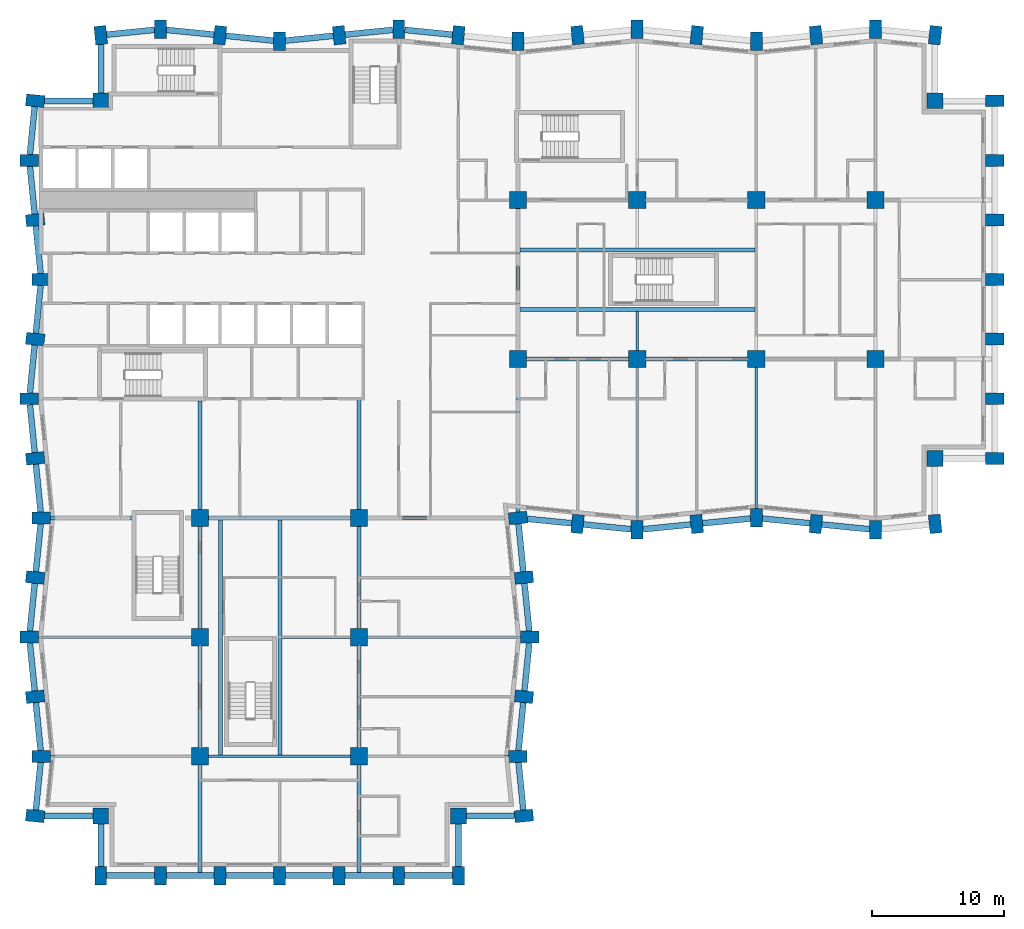
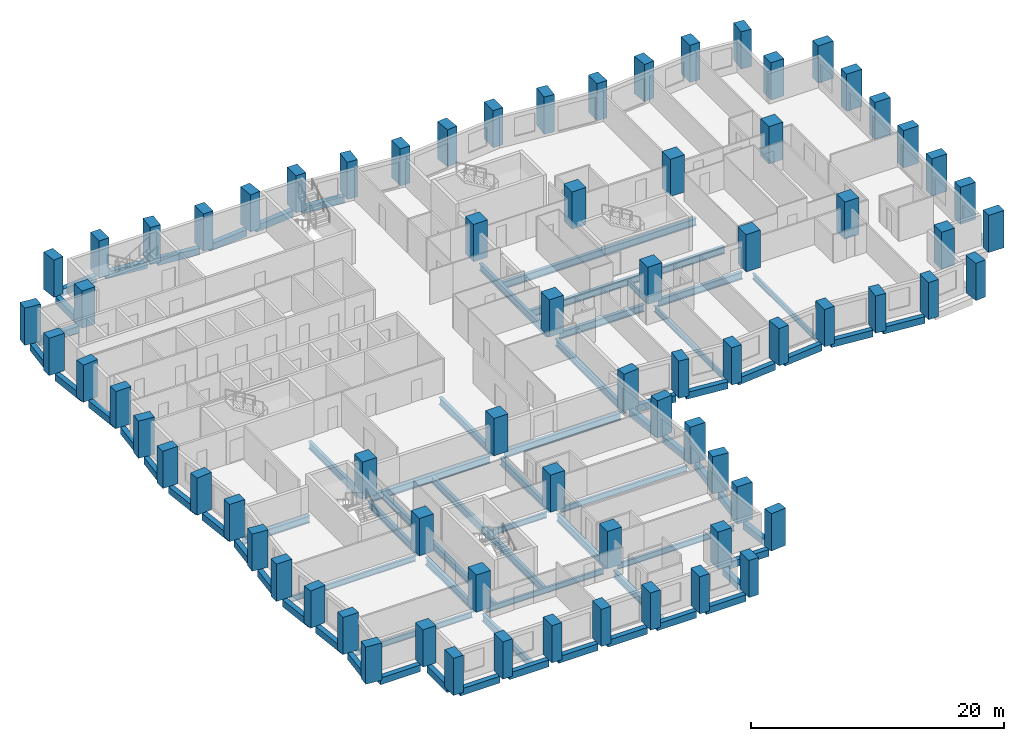
# One storey, part 1 of 12: 74 columns, 69 beams.
"""IFC4 building model written with IfcOpenShell, lengths in metres."""

from ifc_helpers import new_model, si_unit, direction, frame, origin, origin_2d, place, context, subcontext, project, spatial, rectangle, i_section, extrude, material, material_profile, profile_set, type_object, element, save


model = new_model("IFC4")

# Units and contexts
model_context = context("Model", 3, precision=1e-05, world=origin(), true_north=direction((0.0, 1.0)))
body_context = subcontext(model_context, "Body", "Model", "MODEL_VIEW")
ifc_project = project(units=[si_unit("LENGTHUNIT", "METRE"), si_unit("AREAUNIT", "SQUARE_METRE"), si_unit("VOLUMEUNIT", "CUBIC_METRE"), si_unit("PLANEANGLEUNIT", "RADIAN"), si_unit("MASSUNIT", "GRAM", prefix="KILO")], contexts=[model_context])

# Site, building, storey
site_placement = place(None, origin())
site = spatial("IfcSite", under=ifc_project, at=site_placement, CompositionType="ELEMENT")
building_placement = place(site_placement, origin())
building = spatial("IfcBuilding", under=site, at=building_placement, Name="Brondeck Convention Tower", CompositionType="ELEMENT")
storey_placement = place(building_placement, frame((0.0, 0.0, 77.10009765625)))
storey = spatial("IfcBuildingStorey", under=building, at=storey_placement, Name="L17", CompositionType="ELEMENT", Elevation=77.10009765625)

# Columns
ifc_material_1 = material(Name="Concrete C80/95", Category="concrete")
ifc_material_profile_1 = material_profile(ifc_material_1, rectangle(XDim=1.199951171875, YDim=1.199951171875, at=origin_2d()), Name="Corner column 1200x1200 Concrete C80/95")
ifc_profile_set_1 = profile_set([ifc_material_profile_1], Name="Concrete C80/95")
column_type_1 = type_object("IfcColumnType", Name="Corner column 1200x1200 Concrete C80/95", PredefinedType="COLUMN", material=ifc_profile_set_1)
for number, where, z_axis, x_axis, name in (
    (1, (4.5, 4.5, 0.0), (0.0, 0.0, 1.0), (1.0, 0.0, 0.0), "STR-COL-L17-NC-SWB0"),
    (2, (31.5, 4.5, 0.0), (0.0, 0.0, 1.0), (1.0, 0.0, 0.0), "STR-COL-L17-NC-SEB0"),
    (3, (67.5, 31.5, 0.0), (0.0, 0.0, 1.0), (1.0, 0.0, 0.0), "STR-COL-L17-NC-SEA72"),
    (4, (67.5, 58.5, 0.0), (0.0, 0.0, 1.0), (1.0, 0.0, 0.0), "STR-COL-L17-NC-NEA72"),
    (5, (4.5, 58.5, 0.0), (0.0, 0.0, 1.0), (1.0, 0.0, 0.0), "STR-COL-L17-NC-NW"),
):
    element("IfcColumn", number, at=place(storey_placement, frame(where, z_axis=z_axis, x_axis=x_axis)), inside=storey, type_object=column_type_1, Name=name, PredefinedType="COLUMN", context=body_context, shape_type="SweptSolid", body=[
        extrude(rectangle(XDim=1.199951171875, YDim=1.199951171875, at=origin_2d()), origin(), (0.0, 0.0, 1.0), 3.599853515625),
    ])
ifc_material_profile_2 = material_profile(ifc_material_1, rectangle(XDim=1.300048828125, YDim=1.300048828125, at=origin_2d()), Name="Interior column 1300x1300 Concrete C80/95")
ifc_profile_set_2 = profile_set([ifc_material_profile_2], Name="Concrete C80/95")
column_type_2 = type_object("IfcColumnType", Name="Interior column 1300x1300 Concrete C80/95", PredefinedType="COLUMN", material=ifc_profile_set_2)
for number, where, z_axis, x_axis, name in (
    (6, (12.0, 9.0, 0.0), (0.0, 0.0, 1.0), (1.0, 0.0, 0.0), "STR-COL-L17-IC-01"),
    (7, (12.0, 18.0, 0.0), (0.0, 0.0, 1.0), (1.0, 0.0, 0.0), "STR-COL-L17-IC-02"),
    (8, (12.0, 27.0, 0.0), (0.0, 0.0, 1.0), (1.0, 0.0, 0.0), "STR-COL-L17-IC-03"),
    (9, (24.0, 9.0, 0.0), (0.0, 0.0, 1.0), (1.0, 0.0, 0.0), "STR-COL-L17-IC-04"),
    (10, (24.0, 18.0, 0.0), (0.0, 0.0, 1.0), (1.0, 0.0, 0.0), "STR-COL-L17-IC-05"),
    (11, (24.0, 27.0, 0.0), (0.0, 0.0, 1.0), (1.0, 0.0, 0.0), "STR-COL-L17-IC-06"),
    (12, (36.0, 39.0, 0.0), (0.0, 0.0, 1.0), (1.0, 0.0, 0.0), "STR-COL-L17-IC-07"),
    (13, (36.0, 51.0, 0.0), (0.0, 0.0, 1.0), (1.0, 0.0, 0.0), "STR-COL-L17-IC-08"),
    (14, (45.0, 39.0, 0.0), (0.0, 0.0, 1.0), (1.0, 0.0, 0.0), "STR-COL-L17-IC-09"),
    (15, (45.0, 51.0, 0.0), (0.0, 0.0, 1.0), (1.0, 0.0, 0.0), "STR-COL-L17-IC-10"),
    (16, (54.0, 39.0, 0.0), (0.0, 0.0, 1.0), (1.0, 0.0, 0.0), "STR-COL-L17-IC-11"),
    (17, (54.0, 51.0, 0.0), (0.0, 0.0, 1.0), (1.0, 0.0, 0.0), "STR-COL-L17-IC-12"),
    (18, (63.0, 39.0, 0.0), (0.0, 0.0, 1.0), (1.0, 0.0, 0.0), "STR-COL-L17-IC-13"),
    (19, (63.0, 51.0, 0.0), (0.0, 0.0, 1.0), (1.0, 0.0, 0.0), "STR-COL-L17-IC-14"),
):
    element("IfcColumn", number, at=place(storey_placement, frame(where, z_axis=z_axis, x_axis=x_axis)), inside=storey, type_object=column_type_2, Name=name, PredefinedType="COLUMN", context=body_context, shape_type="SweptSolid", body=[
        extrude(rectangle(XDim=1.300048828125, YDim=1.300048828125, at=origin_2d()), origin(), (0.0, 0.0, 1.0), 3.599853515625),
    ])
ifc_material_profile_3 = material_profile(ifc_material_1, rectangle(XDim=0.89990234375, YDim=1.39990234375, at=origin_2d()), Name="Perimeter pier 900x1400 Concrete C80/95")
ifc_profile_set_3 = profile_set([ifc_material_profile_3], Name="Concrete C80/95")
column_type_3 = type_object("IfcColumnType", Name="Perimeter pier 900x1400 Concrete C80/95", PredefinedType="COLUMN", material=ifc_profile_set_3)
for number, where, z_axis, x_axis, name in (
    (20, (4.5, 0.0, 0.0), (0.0, 0.0, 1.0), (1.0, 0.0, 0.0), "STR-COL-L17-PC-B-S0-01"),
    (21, (9.0, 0.0, 0.0), (0.0, 0.0, 1.0), (1.0, 0.0, 0.0), "STR-COL-L17-PC-B-S0-02"),
    (22, (13.5, 0.0, 0.0), (0.0, 0.0, 1.0), (1.0, 0.0, 0.0), "STR-COL-L17-PC-B-S0-03"),
    (23, (18.0, 0.0, 0.0), (0.0, 0.0, 1.0), (1.0, 0.0, 0.0), "STR-COL-L17-PC-B-S0-04"),
    (24, (22.5, 0.0, 0.0), (0.0, 0.0, 1.0), (1.0, 0.0, 0.0), "STR-COL-L17-PC-B-S0-05"),
    (25, (27.0, 0.0, 0.0), (0.0, 0.0, 1.0), (1.0, 0.0, 0.0), "STR-COL-L17-PC-B-S0-06"),
    (26, (31.5, 0.0, 0.0), (0.0, 0.0, 1.0), (1.0, 0.0, 0.0), "STR-COL-L17-PC-B-S0-07"),
    (27, (36.449951171875, 4.5, 0.0), (0.0, 0.0, 1.0), (-0.0995038382, 0.995037178292, 0.0), "STR-COL-L17-PC-B-E-05"),
    (28, (36.0, 9.0, 0.0), (0.0, 0.0, 1.0), (0.0, 1.0, 0.0), "STR-COL-L17-PC-B-E-04"),
    (29, (36.449951171875, 13.5, 0.0), (0.0, 0.0, 1.0), (0.0995038382, 0.995037178292, 0.0), "STR-COL-L17-PC-B-E-03"),
    (30, (36.89990234375, 18.0, 0.0), (0.0, 0.0, 1.0), (0.0, 1.0, 0.0), "STR-COL-L17-PC-B-E-02"),
    (31, (36.449951171875, 22.5, 0.0), (0.0, 0.0, 1.0), (-0.0995038382, 0.995037178292, 0.0), "STR-COL-L17-PC-B-E-01"),
    (32, (36.0, 27.0, 0.0), (0.0, 0.0, 1.0), (-0.0995038382, 0.995037178292, 0.0), "STR-COL-L17-PC-B-E-00"),
    (33, (40.5, 26.550048828125, 0.0), (0.0, 0.0, 1.0), (0.995037178292, -0.0995038382, 0.0), "STR-COL-L17-PC-A-S-01"),
    (34, (45.0, 26.10009765625, 0.0), (0.0, 0.0, 1.0), (1.0, 0.0, 0.0), "STR-COL-L17-PC-A-S-02"),
    (35, (49.5, 26.550048828125, 0.0), (0.0, 0.0, 1.0), (0.995037178292, 0.0995038382, 0.0), "STR-COL-L17-PC-A-S-03"),
    (36, (54.0, 27.0, 0.0), (0.0, 0.0, 1.0), (1.0, 0.0, 0.0), "STR-COL-L17-PC-A-S-04"),
    (37, (58.5, 26.550048828125, 0.0), (0.0, 0.0, 1.0), (0.995037178292, -0.0995038382, 0.0), "STR-COL-L17-PC-A-S-05"),
    (38, (63.0, 26.10009765625, 0.0), (0.0, 0.0, 1.0), (1.0, 0.0, 0.0), "STR-COL-L17-PC-A-S-06"),
    (39, (67.5, 26.550048828125, 0.0), (0.0, 0.0, 1.0), (0.995037178292, 0.0995038382, 0.0), "STR-COL-L17-PC-A-S-07"),
    (40, (72.0, 31.5, 0.0), (0.0, 0.0, 1.0), (0.0, 1.0, 0.0), "STR-COL-L17-PC-A-E72-01"),
    (41, (72.0, 36.0, 0.0), (0.0, 0.0, 1.0), (0.0, 1.0, 0.0), "STR-COL-L17-PC-A-E72-02"),
    (42, (72.0, 40.5, 0.0), (0.0, 0.0, 1.0), (0.0, 1.0, 0.0), "STR-COL-L17-PC-A-E72-03"),
    (43, (72.0, 45.0, 0.0), (0.0, 0.0, 1.0), (0.0, 1.0, 0.0), "STR-COL-L17-PC-A-E72-04"),
    (44, (72.0, 49.5, 0.0), (0.0, 0.0, 1.0), (0.0, 1.0, 0.0), "STR-COL-L17-PC-A-E72-05"),
    (45, (72.0, 54.0, 0.0), (0.0, 0.0, 1.0), (0.0, 1.0, 0.0), "STR-COL-L17-PC-A-E72-06"),
    (46, (72.0, 58.5, 0.0), (0.0, 0.0, 1.0), (0.0, 1.0, 0.0), "STR-COL-L17-PC-A-E72-07"),
    (47, (67.5, 63.449951171875, 0.0), (0.0, 0.0, 1.0), (-0.995037178292, 0.0995038382, 0.0), "STR-COL-L17-PC-A-N-15"),
    (48, (63.0, 63.89990234375, 0.0), (0.0, 0.0, 1.0), (-1.0, 0.0, 0.0), "STR-COL-L17-PC-A-N-14"),
    (49, (58.5, 63.449951171875, 0.0), (0.0, 0.0, 1.0), (-0.995037178292, -0.0995038382, 0.0), "STR-COL-L17-PC-A-N-13"),
    (50, (54.0, 63.0, 0.0), (0.0, 0.0, 1.0), (-1.0, 0.0, 0.0), "STR-COL-L17-PC-A-N-12"),
    (51, (49.5, 63.449951171875, 0.0), (0.0, 0.0, 1.0), (-0.995037178292, 0.0995038382, 0.0), "STR-COL-L17-PC-A-N-11"),
    (52, (45.0, 63.89990234375, 0.0), (0.0, 0.0, 1.0), (-1.0, 0.0, 0.0), "STR-COL-L17-PC-A-N-10"),
    (53, (40.5, 63.449951171875, 0.0), (0.0, 0.0, 1.0), (-0.995037178292, -0.0995038382, 0.0), "STR-COL-L17-PC-A-N-09"),
    (54, (36.0, 63.0, 0.0), (0.0, 0.0, 1.0), (-1.0, 0.0, 0.0), "STR-COL-L17-PC-A-N-08"),
    (55, (31.5, 63.449951171875, 0.0), (0.0, 0.0, 1.0), (-0.995037178292, 0.0995038382, 0.0), "STR-COL-L17-PC-A-N-07"),
    (56, (27.0, 63.89990234375, 0.0), (0.0, 0.0, 1.0), (-1.0, 0.0, 0.0), "STR-COL-L17-PC-A-N-06"),
    (57, (22.5, 63.449951171875, 0.0), (0.0, 0.0, 1.0), (-0.995037178292, -0.0995038382, 0.0), "STR-COL-L17-PC-A-N-05"),
    (58, (18.0, 63.0, 0.0), (0.0, 0.0, 1.0), (-1.0, 0.0, 0.0), "STR-COL-L17-PC-A-N-04"),
    (59, (13.5, 63.449951171875, 0.0), (0.0, 0.0, 1.0), (-0.995037178292, 0.0995038382, 0.0), "STR-COL-L17-PC-A-N-03"),
    (60, (9.0, 63.89990234375, 0.0), (0.0, 0.0, 1.0), (-1.0, 0.0, 0.0), "STR-COL-L17-PC-A-N-02"),
    (61, (4.5, 63.449951171875, 0.0), (0.0, 0.0, 1.0), (-0.995037178292, -0.0995038382, 0.0), "STR-COL-L17-PC-A-N-01"),
    (62, (-0.449951171875, 58.5, 0.0), (0.0, 0.0, 1.0), (-0.0995038382, -0.995037178292, 0.0), "STR-COL-L17-PC-B-W-01"),
    (63, (-0.89990234375, 54.0, 0.0), (0.0, 0.0, 1.0), (0.0, -1.0, 0.0), "STR-COL-L17-PC-B-W-02"),
    (64, (-0.449951171875, 49.5, 0.0), (0.0, 0.0, 1.0), (0.0995038382, -0.995037178292, 0.0), "STR-COL-L17-PC-B-W-03"),
    (65, (0.0, 45.0, 0.0), (0.0, 0.0, 1.0), (0.0, -1.0, 0.0), "STR-COL-L17-PC-B-W-04"),
    (66, (-0.449951171875, 40.5, 0.0), (0.0, 0.0, 1.0), (-0.0995038382, -0.995037178292, 0.0), "STR-COL-L17-PC-B-W-05"),
    (67, (-0.89990234375, 36.0, 0.0), (0.0, 0.0, 1.0), (0.0, -1.0, 0.0), "STR-COL-L17-PC-B-W-06"),
    (68, (-0.449951171875, 31.5, 0.0), (0.0, 0.0, 1.0), (0.0995038382, -0.995037178292, 0.0), "STR-COL-L17-PC-B-W-07"),
    (69, (0.0, 27.0, 0.0), (0.0, 0.0, 1.0), (0.0, -1.0, 0.0), "STR-COL-L17-PC-B-W-08"),
    (70, (-0.449951171875, 22.5, 0.0), (0.0, 0.0, 1.0), (-0.0995038382, -0.995037178292, 0.0), "STR-COL-L17-PC-B-W-09"),
    (71, (-0.89990234375, 18.0, 0.0), (0.0, 0.0, 1.0), (0.0, -1.0, 0.0), "STR-COL-L17-PC-B-W-10"),
    (72, (-0.449951171875, 13.5, 0.0), (0.0, 0.0, 1.0), (0.0995038382, -0.995037178292, 0.0), "STR-COL-L17-PC-B-W-11"),
    (73, (0.0, 9.0, 0.0), (0.0, 0.0, 1.0), (0.0, -1.0, 0.0), "STR-COL-L17-PC-B-W-12"),
    (74, (-0.449951171875, 4.5, 0.0), (0.0, 0.0, 1.0), (-0.0995038382, -0.995037178292, 0.0), "STR-COL-L17-PC-B-W-13"),
):
    element("IfcColumn", number, at=place(storey_placement, frame(where, z_axis=z_axis, x_axis=x_axis)), inside=storey, type_object=column_type_3, Name=name, PredefinedType="COLUMN", context=body_context, shape_type="SweptSolid", body=[
        extrude(rectangle(XDim=0.89990234375, YDim=1.39990234375, at=origin_2d()), origin(), (0.0, 0.0, 1.0), 3.599853515625),
    ])

# Beams
ifc_material_2 = material(Name="Steel S355", Category="steel")
ifc_material_profile_4 = material_profile(ifc_material_2, i_section(OverallWidth=0.2099609375, OverallDepth=0.550048828125, WebThickness=0.010986328125, FlangeThickness=0.01708984375, FilletRadius=0.02392578125, at=origin_2d()), Name="IPE 550")
ifc_profile_set_4 = profile_set([ifc_material_profile_4], Name="Steel S355")
beam_type_1 = type_object("IfcBeamType", Name="Floor beam IPE 550", PredefinedType="BEAM", material=ifc_profile_set_4)
beam_1_placement = place(storey_placement, frame((45.0, 26.800048828125, -0.5751953125), z_axis=(0.0, 1.0, 0.0), x_axis=(-1.0, 0.0, 0.0)))
element("IfcBeam", 75, at=beam_1_placement, inside=storey, type_object=beam_type_1, Name="STR-FB-L17-001", PredefinedType="BEAM", context=body_context, shape_type="SweptSolid", body=[
    extrude(i_section(OverallWidth=0.2099609375, OverallDepth=0.550048828125, WebThickness=0.010986328125, FlangeThickness=0.01708984375, FilletRadius=0.02392578125, at=origin_2d()), origin(), (0.0, 0.0, 1.0), 11.550048828125),
])
for number, where, z_axis, x_axis, name in (
    (76, (54.0, 27.699951171875, -0.5751953125), (0.0, 1.0, 0.0), (-1.0, 0.0, 0.0), "STR-FB-L17-003"),
    (77, (0.699951171875, 9.0, -0.5751953125), (1.0, 0.0, 0.0), (0.0, 1.0, 0.0), "STR-FB-L17-009"),
):
    element("IfcBeam", number, at=place(storey_placement, frame(where, z_axis=z_axis, x_axis=x_axis)), inside=storey, type_object=beam_type_1, Name=name, PredefinedType="BEAM", context=body_context, shape_type="SweptSolid", body=[
        extrude(i_section(OverallWidth=0.2099609375, OverallDepth=0.550048828125, WebThickness=0.010986328125, FlangeThickness=0.01708984375, FilletRadius=0.02392578125, at=origin_2d()), origin(), (0.0, 0.0, 1.0), 10.650146484375),
    ])
beam_2_placement = place(storey_placement, frame((12.64990234375, 9.0, -0.5751953125), z_axis=(1.0, 0.0, 0.0), x_axis=(0.0, 1.0, 0.0)))
element("IfcBeam", 78, at=beam_2_placement, inside=storey, type_object=beam_type_1, Name="STR-FB-L17-010", PredefinedType="BEAM", context=body_context, shape_type="SweptSolid", body=[
    extrude(i_section(OverallWidth=0.2099609375, OverallDepth=0.550048828125, WebThickness=0.010986328125, FlangeThickness=0.01708984375, FilletRadius=0.02392578125, at=origin_2d()), origin(), (0.0, 0.0, 1.0), 10.7001953125),
])
beam_3_placement = place(storey_placement, frame((24.64990234375, 9.0, -0.5751953125), z_axis=(1.0, 0.0, 0.0), x_axis=(0.0, 1.0, 0.0)))
element("IfcBeam", 79, at=beam_3_placement, inside=storey, type_object=beam_type_1, Name="STR-FB-L17-011", PredefinedType="BEAM", context=body_context, shape_type="SweptSolid", body=[
    extrude(i_section(OverallWidth=0.2099609375, OverallDepth=0.550048828125, WebThickness=0.010986328125, FlangeThickness=0.01708984375, FilletRadius=0.02392578125, at=origin_2d()), origin(), (0.0, 0.0, 1.0), 10.650146484375),
])
for number, where, z_axis, x_axis, name in (
    (80, (-0.199951171875, 18.0, -0.5751953125), (1.0, 0.0, 0.0), (0.0, 1.0, 0.0), "STR-FB-L17-012"),
    (81, (24.64990234375, 18.0, -0.5751953125), (1.0, 0.0, 0.0), (0.0, 1.0, 0.0), "STR-FB-L17-013"),
):
    element("IfcBeam", number, at=place(storey_placement, frame(where, z_axis=z_axis, x_axis=x_axis)), inside=storey, type_object=beam_type_1, Name=name, PredefinedType="BEAM", context=body_context, shape_type="SweptSolid", body=[
        extrude(i_section(OverallWidth=0.2099609375, OverallDepth=0.550048828125, WebThickness=0.010986328125, FlangeThickness=0.01708984375, FilletRadius=0.02392578125, at=origin_2d()), origin(), (0.0, 0.0, 1.0), 11.550048828125),
    ])
beam_4_placement = place(storey_placement, frame((45.0, 39.64990234375, -0.5751953125), z_axis=(0.0, 1.0, 0.0), x_axis=(-1.0, 0.0, 0.0)))
element("IfcBeam", 82, at=beam_4_placement, inside=storey, type_object=beam_type_1, Name="STR-FB-L17-014", PredefinedType="BEAM", context=body_context, shape_type="SweptSolid", body=[
    extrude(i_section(OverallWidth=0.2099609375, OverallDepth=0.550048828125, WebThickness=0.010986328125, FlangeThickness=0.01708984375, FilletRadius=0.02392578125, at=origin_2d()), origin(), (0.0, 0.0, 1.0), 2.9501953125),
])
beam_5_placement = place(storey_placement, frame((18.199951171875, 18.0, -0.5751953125), z_axis=(1.0, 0.0, 0.0), x_axis=(0.0, 1.0, 0.0)))
element("IfcBeam", 83, at=beam_5_placement, inside=storey, type_object=beam_type_1, Name="STR-FB-L17-016", PredefinedType="BEAM", context=body_context, shape_type="SweptSolid", body=[
    extrude(i_section(OverallWidth=0.2099609375, OverallDepth=0.550048828125, WebThickness=0.010986328125, FlangeThickness=0.01708984375, FilletRadius=0.02392578125, at=origin_2d()), origin(), (0.0, 0.0, 1.0), 5.150146484375),
])
ifc_material_profile_5 = material_profile(ifc_material_2, i_section(OverallWidth=0.300048828125, OverallDepth=0.699951171875, WebThickness=0.01708984375, FlangeThickness=0.031982421875, FilletRadius=0.027099609375, at=origin_2d()), Name="HEB 700")
ifc_profile_set_5 = profile_set([ifc_material_profile_5], Name="Steel S355")
beam_type_2 = type_object("IfcBeamType", Name="Girder HEB 700", PredefinedType="BEAM", material=ifc_profile_set_5)
for number, where, z_axis, x_axis, name in (
    (84, (36.64990234375, 39.0, -0.650146484375), (1.0, 0.0, 0.0), (0.0, 1.0, 0.0), "STR-GR-L17-001"),
    (85, (45.64990234375, 39.0, -0.650146484375), (1.0, 0.0, 0.0), (0.0, 1.0, 0.0), "STR-GR-L17-002"),
):
    element("IfcBeam", number, at=place(storey_placement, frame(where, z_axis=z_axis, x_axis=x_axis)), inside=storey, type_object=beam_type_2, Name=name, PredefinedType="BEAM", context=body_context, shape_type="SweptSolid", body=[
        extrude(i_section(OverallWidth=0.300048828125, OverallDepth=0.699951171875, WebThickness=0.01708984375, FlangeThickness=0.031982421875, FilletRadius=0.027099609375, at=origin_2d()), origin(), (0.0, 0.0, 1.0), 7.7001953125),
    ])
beam_6_placement = place(storey_placement, frame((36.0, 27.4521484375, -0.650146484375), z_axis=(0.0, 1.0, 0.0), x_axis=(-1.0, 0.0, 0.0)))
element("IfcBeam", 86, at=beam_6_placement, inside=storey, type_object=beam_type_2, Name="STR-GR-L17-009", PredefinedType="BEAM", context=body_context, shape_type="SweptSolid", body=[
    extrude(i_section(OverallWidth=0.300048828125, OverallDepth=0.699951171875, WebThickness=0.01708984375, FlangeThickness=0.031982421875, FilletRadius=0.027099609375, at=origin_2d()), origin(), (0.0, 0.0, 1.0), 10.89794921875),
])
beam_7_placement = place(storey_placement, frame((36.0, 39.64990234375, -0.650146484375), z_axis=(0.0, 1.0, 0.0), x_axis=(-1.0, 0.0, 0.0)))
element("IfcBeam", 87, at=beam_7_placement, inside=storey, type_object=beam_type_2, Name="STR-GR-L17-010", PredefinedType="BEAM", context=body_context, shape_type="SweptSolid", body=[
    extrude(i_section(OverallWidth=0.300048828125, OverallDepth=0.699951171875, WebThickness=0.01708984375, FlangeThickness=0.031982421875, FilletRadius=0.027099609375, at=origin_2d()), origin(), (0.0, 0.0, 1.0), 10.7001953125),
])
beam_8_placement = place(storey_placement, frame((12.0, 35.85009765625, -0.650146484375), z_axis=(0.0, -1.0, 0.0), x_axis=(1.0, 0.0, 0.0)))
element("IfcBeam", 88, at=beam_8_placement, inside=storey, type_object=beam_type_2, Name="STR-GR-L17-013", PredefinedType="BEAM", context=body_context, shape_type="SweptSolid", body=[
    extrude(i_section(OverallWidth=0.300048828125, OverallDepth=0.699951171875, WebThickness=0.01708984375, FlangeThickness=0.031982421875, FilletRadius=0.027099609375, at=origin_2d()), origin(), (0.0, 0.0, 1.0), 8.2001953125),
])
for number, where, z_axis, x_axis, name in (
    (89, (12.0, 26.35009765625, -0.650146484375), (0.0, -1.0, 0.0), (1.0, 0.0, 0.0), "STR-GR-L17-014"),
    (90, (12.0, 17.35009765625, -0.650146484375), (0.0, -1.0, 0.0), (1.0, 0.0, 0.0), "STR-GR-L17-015"),
):
    element("IfcBeam", number, at=place(storey_placement, frame(where, z_axis=z_axis, x_axis=x_axis)), inside=storey, type_object=beam_type_2, Name=name, PredefinedType="BEAM", context=body_context, shape_type="SweptSolid", body=[
        extrude(i_section(OverallWidth=0.300048828125, OverallDepth=0.699951171875, WebThickness=0.01708984375, FlangeThickness=0.031982421875, FilletRadius=0.027099609375, at=origin_2d()), origin(), (0.0, 0.0, 1.0), 7.7001953125),
    ])
beam_9_placement = place(storey_placement, frame((12.0, 8.35009765625, -0.650146484375), z_axis=(0.0, -1.0, 0.0), x_axis=(1.0, 0.0, 0.0)))
element("IfcBeam", 91, at=beam_9_placement, inside=storey, type_object=beam_type_2, Name="STR-GR-L17-016", PredefinedType="BEAM", context=body_context, shape_type="SweptSolid", body=[
    extrude(i_section(OverallWidth=0.300048828125, OverallDepth=0.699951171875, WebThickness=0.01708984375, FlangeThickness=0.031982421875, FilletRadius=0.027099609375, at=origin_2d()), origin(), (0.0, 0.0, 1.0), 8.125),
])
beam_10_placement = place(storey_placement, frame((24.0, 35.955078125, -0.650146484375), z_axis=(0.0, -1.0, 0.0), x_axis=(1.0, 0.0, 0.0)))
element("IfcBeam", 92, at=beam_10_placement, inside=storey, type_object=beam_type_2, Name="STR-GR-L17-017", PredefinedType="BEAM", context=body_context, shape_type="SweptSolid", body=[
    extrude(i_section(OverallWidth=0.300048828125, OverallDepth=0.699951171875, WebThickness=0.01708984375, FlangeThickness=0.031982421875, FilletRadius=0.027099609375, at=origin_2d()), origin(), (0.0, 0.0, 1.0), 8.30517578125),
])
for number, where, z_axis, x_axis, name in (
    (93, (24.0, 26.35009765625, -0.650146484375), (0.0, -1.0, 0.0), (1.0, 0.0, 0.0), "STR-GR-L17-018"),
    (94, (24.0, 17.35009765625, -0.650146484375), (0.0, -1.0, 0.0), (1.0, 0.0, 0.0), "STR-GR-L17-019"),
):
    element("IfcBeam", number, at=place(storey_placement, frame(where, z_axis=z_axis, x_axis=x_axis)), inside=storey, type_object=beam_type_2, Name=name, PredefinedType="BEAM", context=body_context, shape_type="SweptSolid", body=[
        extrude(i_section(OverallWidth=0.300048828125, OverallDepth=0.699951171875, WebThickness=0.01708984375, FlangeThickness=0.031982421875, FilletRadius=0.027099609375, at=origin_2d()), origin(), (0.0, 0.0, 1.0), 7.7001953125),
    ])
beam_11_placement = place(storey_placement, frame((24.0, 8.35009765625, -0.650146484375), z_axis=(0.0, -1.0, 0.0), x_axis=(1.0, 0.0, 0.0)))
element("IfcBeam", 95, at=beam_11_placement, inside=storey, type_object=beam_type_2, Name="STR-GR-L17-020", PredefinedType="BEAM", context=body_context, shape_type="SweptSolid", body=[
    extrude(i_section(OverallWidth=0.300048828125, OverallDepth=0.699951171875, WebThickness=0.01708984375, FlangeThickness=0.031982421875, FilletRadius=0.027099609375, at=origin_2d()), origin(), (0.0, 0.0, 1.0), 8.125),
])
beam_12_placement = place(storey_placement, frame((0.699951171875, 27.0, -0.650146484375), z_axis=(1.0, 0.0, 0.0), x_axis=(0.0, 1.0, 0.0)))
element("IfcBeam", 96, at=beam_12_placement, inside=storey, type_object=beam_type_2, Name="STR-GR-L17-021", PredefinedType="BEAM", context=body_context, shape_type="SweptSolid", body=[
    extrude(i_section(OverallWidth=0.300048828125, OverallDepth=0.699951171875, WebThickness=0.01708984375, FlangeThickness=0.031982421875, FilletRadius=0.027099609375, at=origin_2d()), origin(), (0.0, 0.0, 1.0), 6.179931640625),
])
beam_13_placement = place(storey_placement, frame((12.64990234375, 27.0, -0.650146484375), z_axis=(1.0, 0.0, 0.0), x_axis=(0.0, 1.0, 0.0)))
element("IfcBeam", 97, at=beam_13_placement, inside=storey, type_object=beam_type_2, Name="STR-GR-L17-022", PredefinedType="BEAM", context=body_context, shape_type="SweptSolid", body=[
    extrude(i_section(OverallWidth=0.300048828125, OverallDepth=0.699951171875, WebThickness=0.01708984375, FlangeThickness=0.031982421875, FilletRadius=0.027099609375, at=origin_2d()), origin(), (0.0, 0.0, 1.0), 10.7001953125),
])
beam_14_placement = place(storey_placement, frame((24.64990234375, 27.0, -0.650146484375), z_axis=(1.0, 0.0, 0.0), x_axis=(0.0, 1.0, 0.0)))
element("IfcBeam", 98, at=beam_14_placement, inside=storey, type_object=beam_type_2, Name="STR-GR-L17-023", PredefinedType="BEAM", context=body_context, shape_type="SweptSolid", body=[
    extrude(i_section(OverallWidth=0.300048828125, OverallDepth=0.699951171875, WebThickness=0.01708984375, FlangeThickness=0.031982421875, FilletRadius=0.027099609375, at=origin_2d()), origin(), (0.0, 0.0, 1.0), 10.646484375),
])
for number, where, z_axis, x_axis, name in (
    (99, (36.14990234375, 42.75, -0.650146484375), (1.0, 0.0, 0.0), (0.0, 1.0, 0.0), "STR-GR-L17-024"),
    (100, (36.14990234375, 47.25, -0.650146484375), (1.0, 0.0, 0.0), (0.0, 1.0, 0.0), "STR-GR-L17-025"),
    (101, (13.550048828125, 9.10498046875, -0.650146484375), (0.0, 1.0, 0.0), (-1.0, 0.0, 0.0), "STR-GR-L17-026"),
    (102, (18.050048828125, 9.10498046875, -0.650146484375), (0.0, 1.0, 0.0), (-1.0, 0.0, 0.0), "STR-GR-L17-027"),
):
    element("IfcBeam", number, at=place(storey_placement, frame(where, z_axis=z_axis, x_axis=x_axis)), inside=storey, type_object=beam_type_2, Name=name, PredefinedType="BEAM", context=body_context, shape_type="SweptSolid", body=[
        extrude(i_section(OverallWidth=0.300048828125, OverallDepth=0.699951171875, WebThickness=0.01708984375, FlangeThickness=0.031982421875, FilletRadius=0.027099609375, at=origin_2d()), origin(), (0.0, 0.0, 1.0), 17.7451171875),
    ])
ifc_material_profile_6 = material_profile(ifc_material_1, rectangle(XDim=0.449951171875, YDim=0.64990234375, at=origin_2d()), Name="Precast spandrel 450x650 Concrete C80/95")
ifc_profile_set_6 = profile_set([ifc_material_profile_6], Name="Concrete C80/95")
beam_type_3 = type_object("IfcBeamType", Name="Precast spandrel 450x650 Concrete C80/95", PredefinedType="SPANDREL", material=ifc_profile_set_6)
for number, where, z_axis, x_axis, name in (
    (103, (4.949951171875, 0.0, -0.3251953125), (1.0, 0.0, 0.0), (0.0, 1.0, 0.0), "STR-SP-L17-001"),
    (104, (9.449951171875, 0.0, -0.3251953125), (1.0, 0.0, 0.0), (0.0, 1.0, 0.0), "STR-SP-L17-002"),
    (105, (13.949951171875, 0.0, -0.3251953125), (1.0, 0.0, 0.0), (0.0, 1.0, 0.0), "STR-SP-L17-003"),
    (106, (18.449951171875, 0.0, -0.3251953125), (1.0, 0.0, 0.0), (0.0, 1.0, 0.0), "STR-SP-L17-004"),
    (107, (22.949951171875, 0.0, -0.3251953125), (1.0, 0.0, 0.0), (0.0, 1.0, 0.0), "STR-SP-L17-005"),
    (108, (27.449951171875, 0.0, -0.3251953125), (1.0, 0.0, 0.0), (0.0, 1.0, 0.0), "STR-SP-L17-006"),
):
    element("IfcBeam", number, at=place(storey_placement, frame(where, z_axis=z_axis, x_axis=x_axis)), inside=storey, type_object=beam_type_3, Name=name, PredefinedType="SPANDREL", context=body_context, shape_type="SweptSolid", body=[
        extrude(rectangle(XDim=0.449951171875, YDim=0.64990234375, at=origin_2d()), origin(), (0.0, 0.0, 1.0), 3.60009765625),
    ])
beam_15_placement = place(storey_placement, frame((31.5, 0.699951171875, -0.3251953125), z_axis=(0.0, 1.0, 0.0), x_axis=(-1.0, 0.0, 0.0)))
element("IfcBeam", 109, at=beam_15_placement, inside=storey, type_object=beam_type_3, Name="STR-SP-L17-007", PredefinedType="SPANDREL", context=body_context, shape_type="SweptSolid", body=[
    extrude(rectangle(XDim=0.449951171875, YDim=0.64990234375, at=origin_2d()), origin(), (0.0, 0.0, 1.0), 3.199951171875),
])
beam_16_placement = place(storey_placement, frame((32.10009765625, 4.5, -0.3251953125), z_axis=(1.0, 0.0, 0.0), x_axis=(0.0, 1.0, 0.0)))
element("IfcBeam", 110, at=beam_16_placement, inside=storey, type_object=beam_type_3, Name="STR-SP-L17-008", PredefinedType="SPANDREL", context=body_context, shape_type="SweptSolid", body=[
    extrude(rectangle(XDim=0.449951171875, YDim=0.64990234375, at=origin_2d()), origin(), (0.0, 0.0, 1.0), 3.646484375),
])
for number, where, z_axis, x_axis, name in (
    (111, (36.4052734375, 4.94775390625, -0.3251953125), (-0.099537103649, 0.995033851182, 0.0), (-0.995033851182, -0.099537103649, 0.0), "STR-SP-L17-009"),
    (112, (36.044921875, 9.449951171875, -0.3251953125), (0.099537103649, 0.995033851182, 0.0), (-0.995033851182, 0.099537103649, 0.0), "STR-SP-L17-010"),
    (113, (36.494873046875, 13.94775390625, -0.3251953125), (0.099470334057, 0.995040528141, 0.0), (-0.995040528141, 0.099470334057, 0.0), "STR-SP-L17-011"),
    (114, (36.85498046875, 18.449951171875, -0.3251953125), (-0.099470334057, 0.995040528141, 0.0), (-0.995040528141, -0.099470334057, 0.0), "STR-SP-L17-012"),
):
    element("IfcBeam", number, at=place(storey_placement, frame(where, z_axis=z_axis, x_axis=x_axis)), inside=storey, type_object=beam_type_3, Name=name, PredefinedType="SPANDREL", context=body_context, shape_type="SweptSolid", body=[
        extrude(rectangle(XDim=0.449951171875, YDim=0.64990234375, at=origin_2d()), origin(), (0.0, 0.0, 1.0), 3.620361328125),
    ])
beam_17_placement = place(storey_placement, frame((36.4052734375, 22.94775390625, -0.3251953125), z_axis=(-0.099543756114, 0.995033185687, 0.0), x_axis=(-0.995033185687, -0.099543756114, 0.0)))
element("IfcBeam", 115, at=beam_17_placement, inside=storey, type_object=beam_type_3, Name="STR-SP-L17-013", PredefinedType="SPANDREL", context=body_context, shape_type="SweptSolid", body=[
    extrude(rectangle(XDim=0.449951171875, YDim=0.64990234375, at=origin_2d()), origin(), (0.0, 0.0, 1.0), 3.62255859375),
])
beam_18_placement = place(storey_placement, frame((36.710693359375, 26.928955078125, -0.3251953125), z_axis=(0.995035030591, -0.099525312843, 0.0), x_axis=(0.099525312843, 0.995035030591, 0.0)))
element("IfcBeam", 116, at=beam_18_placement, inside=storey, type_object=beam_type_3, Name="STR-SP-L17-014", PredefinedType="SPANDREL", context=body_context, shape_type="SweptSolid", body=[
    extrude(rectangle(XDim=0.449951171875, YDim=0.64990234375, at=origin_2d()), origin(), (0.0, 0.0, 1.0), 3.358154296875),
])
for number, where, z_axis, x_axis, name in (
    (117, (40.94775390625, 26.505126953125, -0.3251953125), (0.995040528141, -0.099470334057, 0.0), (0.099470334057, 0.995040528141, 0.0), "STR-SP-L17-015"),
    (118, (45.449951171875, 26.14501953125, -0.3251953125), (0.995040528141, 0.099470334057, 0.0), (-0.099470334057, 0.995040528141, 0.0), "STR-SP-L17-016"),
    (119, (49.94775390625, 26.5947265625, -0.3251953125), (0.995033851182, 0.099537103649, 0.0), (-0.099537103649, 0.995033851182, 0.0), "STR-SP-L17-017"),
    (120, (54.449951171875, 26.955078125, -0.3251953125), (0.995033851182, -0.099537103649, 0.0), (0.099537103649, 0.995033851182, 0.0), "STR-SP-L17-018"),
    (121, (58.94775390625, 26.505126953125, -0.3251953125), (0.995040528141, -0.099470334057, 0.0), (0.099470334057, 0.995040528141, 0.0), "STR-SP-L17-019"),
    (122, (31.05224609375, 63.494873046875, -0.3251953125), (-0.995040528141, 0.099470334057, 0.0), (-0.099470334057, -0.995040528141, 0.0), "STR-SP-L17-039"),
    (123, (26.550048828125, 63.85498046875, -0.3251953125), (-0.995040528141, -0.099470334057, 0.0), (0.099470334057, -0.995040528141, 0.0), "STR-SP-L17-040"),
    (124, (22.05224609375, 63.4052734375, -0.3251953125), (-0.995033851182, -0.099537103649, 0.0), (0.099537103649, -0.995033851182, 0.0), "STR-SP-L17-041"),
    (125, (17.550048828125, 63.044921875, -0.3251953125), (-0.995033851182, 0.099537103649, 0.0), (-0.099537103649, -0.995033851182, 0.0), "STR-SP-L17-042"),
    (126, (13.05224609375, 63.494873046875, -0.3251953125), (-0.995040528141, 0.099470334057, 0.0), (-0.099470334057, -0.995040528141, 0.0), "STR-SP-L17-043"),
    (127, (8.550048828125, 63.85498046875, -0.3251953125), (-0.995040528141, -0.099470334057, 0.0), (0.099470334057, -0.995040528141, 0.0), "STR-SP-L17-044"),
):
    element("IfcBeam", number, at=place(storey_placement, frame(where, z_axis=z_axis, x_axis=x_axis)), inside=storey, type_object=beam_type_3, Name=name, PredefinedType="SPANDREL", context=body_context, shape_type="SweptSolid", body=[
        extrude(rectangle(XDim=0.449951171875, YDim=0.64990234375, at=origin_2d()), origin(), (0.0, 0.0, 1.0), 3.620361328125),
    ])
for number, where, z_axis, x_axis, name in (
    (128, (4.5, 62.74658203125, -0.3251953125), (0.0, -1.0, 0.0), (1.0, 0.0, 0.0), "STR-SP-L17-045"),
    (129, (3.89990234375, 58.5, -0.3251953125), (-1.0, 0.0, 0.0), (0.0, -1.0, 0.0), "STR-SP-L17-046"),
):
    element("IfcBeam", number, at=place(storey_placement, frame(where, z_axis=z_axis, x_axis=x_axis)), inside=storey, type_object=beam_type_3, Name=name, PredefinedType="SPANDREL", context=body_context, shape_type="SweptSolid", body=[
        extrude(rectangle(XDim=0.449951171875, YDim=0.64990234375, at=origin_2d()), origin(), (0.0, 0.0, 1.0), 3.646484375),
    ])
for number, where, z_axis, x_axis, name in (
    (130, (-0.494873046875, 58.05224609375, -0.3251953125), (-0.099470334057, -0.995040528141, 0.0), (0.995040528141, -0.099470334057, 0.0), "STR-SP-L17-047"),
    (131, (-0.85498046875, 53.550048828125, -0.3251953125), (0.099470334057, -0.995040528141, 0.0), (0.995040528141, 0.099470334057, 0.0), "STR-SP-L17-048"),
    (132, (-0.4052734375, 49.05224609375, -0.3251953125), (0.099537103649, -0.995033851182, 0.0), (0.995033851182, 0.099537103649, 0.0), "STR-SP-L17-049"),
    (133, (-0.044921875, 44.550048828125, -0.3251953125), (-0.099537103649, -0.995033851182, 0.0), (0.995033851182, -0.099537103649, 0.0), "STR-SP-L17-050"),
    (134, (-0.494873046875, 40.05224609375, -0.3251953125), (-0.099470334057, -0.995040528141, 0.0), (0.995040528141, -0.099470334057, 0.0), "STR-SP-L17-051"),
    (135, (-0.85498046875, 35.550048828125, -0.3251953125), (0.099470334057, -0.995040528141, 0.0), (0.995040528141, 0.099470334057, 0.0), "STR-SP-L17-052"),
    (136, (-0.4052734375, 31.05224609375, -0.3251953125), (0.099537103649, -0.995033851182, 0.0), (0.995033851182, 0.099537103649, 0.0), "STR-SP-L17-053"),
    (137, (-0.044921875, 26.550048828125, -0.3251953125), (-0.099537103649, -0.995033851182, 0.0), (0.995033851182, -0.099537103649, 0.0), "STR-SP-L17-054"),
    (138, (-0.494873046875, 22.05224609375, -0.3251953125), (-0.099470334057, -0.995040528141, 0.0), (0.995040528141, -0.099470334057, 0.0), "STR-SP-L17-055"),
    (139, (-0.85498046875, 17.550048828125, -0.3251953125), (0.099470334057, -0.995040528141, 0.0), (0.995040528141, 0.099470334057, 0.0), "STR-SP-L17-056"),
    (140, (-0.4052734375, 13.05224609375, -0.3251953125), (0.099537103649, -0.995033851182, 0.0), (0.995033851182, 0.099537103649, 0.0), "STR-SP-L17-057"),
    (141, (-0.044921875, 8.550048828125, -0.3251953125), (-0.099537103649, -0.995033851182, 0.0), (0.995033851182, -0.099537103649, 0.0), "STR-SP-L17-058"),
):
    element("IfcBeam", number, at=place(storey_placement, frame(where, z_axis=z_axis, x_axis=x_axis)), inside=storey, type_object=beam_type_3, Name=name, PredefinedType="SPANDREL", context=body_context, shape_type="SweptSolid", body=[
        extrude(rectangle(XDim=0.449951171875, YDim=0.64990234375, at=origin_2d()), origin(), (0.0, 0.0, 1.0), 3.620361328125),
    ])
beam_19_placement = place(storey_placement, frame((0.25341796875, 4.5, -0.3251953125), z_axis=(1.0, 0.0, 0.0), x_axis=(0.0, 1.0, 0.0)))
element("IfcBeam", 142, at=beam_19_placement, inside=storey, type_object=beam_type_3, Name="STR-SP-L17-059", PredefinedType="SPANDREL", context=body_context, shape_type="SweptSolid", body=[
    extrude(rectangle(XDim=0.449951171875, YDim=0.64990234375, at=origin_2d()), origin(), (0.0, 0.0, 1.0), 3.646484375),
])
beam_20_placement = place(storey_placement, frame((4.5, 3.89990234375, -0.3251953125), z_axis=(0.0, -1.0, 0.0), x_axis=(1.0, 0.0, 0.0)))
element("IfcBeam", 143, at=beam_20_placement, inside=storey, type_object=beam_type_3, Name="STR-SP-L17-060", PredefinedType="SPANDREL", context=body_context, shape_type="SweptSolid", body=[
    extrude(rectangle(XDim=0.449951171875, YDim=0.64990234375, at=origin_2d()), origin(), (0.0, 0.0, 1.0), 3.199951171875),
])

save(model, "model.ifc")
